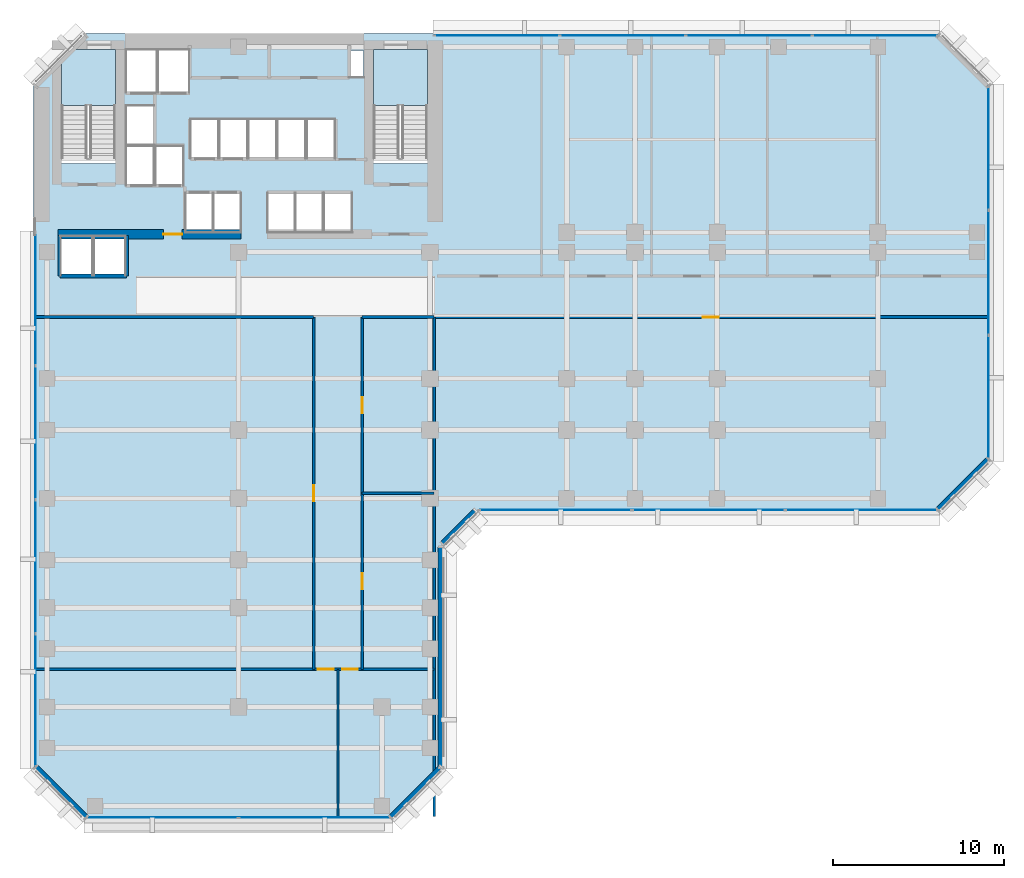
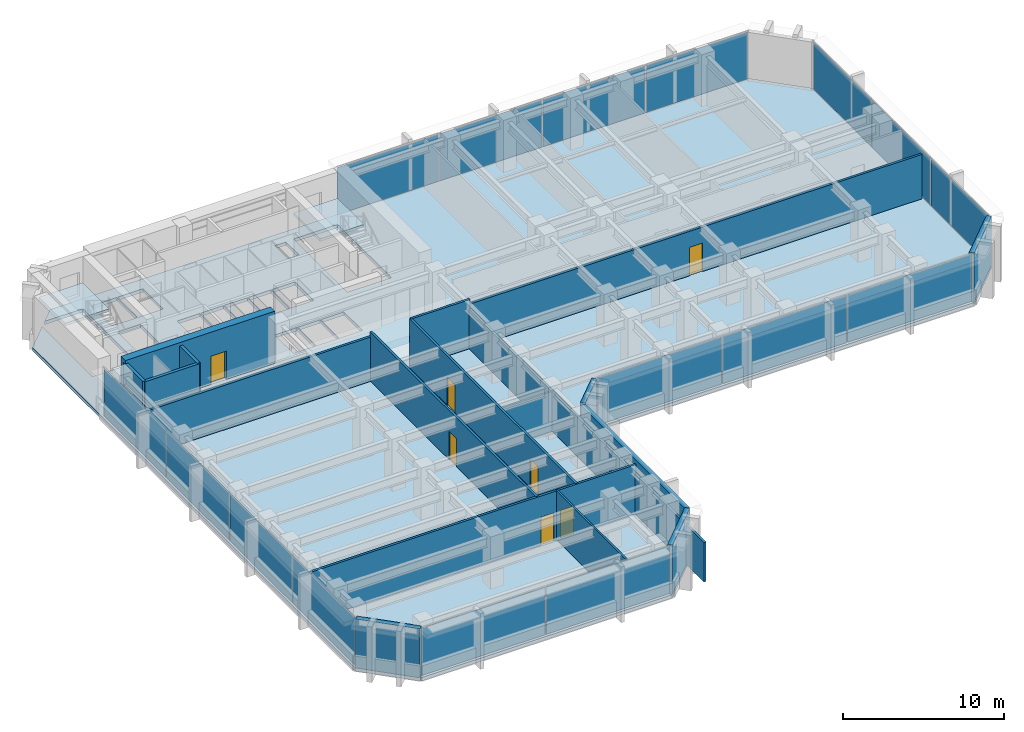
# One storey, part 6 of 13: 18 walls, 16 plates, 7 doors, 3 slabs, 7 openings, 7 elements without a shape of their own.
"""IFC4 building model written with IfcOpenShell, lengths in metres."""

from ifc_helpers import new_model, si_unit, direction, frame, frame_2d, origin, origin_2d, place, context, subcontext, project, spatial, polyline, rectangle, outline, extrude, material, layer, layer_set, type_object, element, fill, aggregate, save


model = new_model("IFC4")

# Units and contexts
model_context = context("Model", 3, precision=1e-05, world=origin(), true_north=direction((0.0, 1.0)))
body_context = subcontext(model_context, "Body", "Model", "MODEL_VIEW")
ifc_project = project(units=[si_unit("LENGTHUNIT", "METRE"), si_unit("AREAUNIT", "SQUARE_METRE"), si_unit("VOLUMEUNIT", "CUBIC_METRE"), si_unit("PLANEANGLEUNIT", "RADIAN"), si_unit("MASSUNIT", "GRAM", prefix="KILO")], contexts=[model_context])

# Site, building, storey
site_placement = place(None, origin())
site = spatial("IfcSite", under=ifc_project, at=site_placement, CompositionType="ELEMENT")
building_placement = place(site_placement, origin())
building = spatial("IfcBuilding", under=site, at=building_placement, Name="Kefirva Bronze Tower", CompositionType="ELEMENT")
storey_placement = place(building_placement, frame((0.0, 0.0, 69.9599609375)))
storey = spatial("IfcBuildingStorey", under=building, at=storey_placement, Name="L16", CompositionType="ELEMENT", Elevation=69.9599609375)

# Stair, slab
ifc_material_1 = material(Name="Concrete C40/50", Category="concrete")
stair_type = type_object("IfcStairType", Name="RC Dogleg Protected Stair 24R", PredefinedType="HALF_TURN_STAIR", material=ifc_material_1)
stair_1_placement = place(storey_placement, origin())
stair_1 = element("IfcStair", 1, at=stair_1_placement, inside=storey, type_object=stair_type, Name="L16 Protected Exit Stair 1", PredefinedType="HALF_TURN_STAIR")
ifc_layer_1 = layer(ifc_material_1, 0.199951171875, Name="Concrete C40/50")
ifc_layer_set_1 = layer_set([ifc_layer_1], Name="Concrete C40/50")
slab_type_1 = type_object("IfcSlabType", Name="RC Stair Landing Slab 200mm", PredefinedType="LANDING", material=ifc_layer_set_1)
slab_1_placement = place(storey_placement, frame((0.0, 0.0, 1.780029296875)))
slab_1 = element("IfcSlab", 2, at=slab_1_placement, type_object=slab_type_1, Name="ST-1 landing 1", PredefinedType="LANDING", context=body_context, shape_type="SweptSolid", body=[
    extrude(outline(polyline([(4.800048828125, 41.780029296875), (4.800048828125, 45.050048828125), (1.64990234375, 45.050048828125), (1.64990234375, 41.780029296875), (4.800048828125, 41.780029296875)])), origin(), (0.0, 0.0, 1.0), 0.199951171875),
])
aggregate(stair_1, [slab_1])

stair_2_placement = place(storey_placement, origin())
stair_2 = element("IfcStair", 3, at=stair_2_placement, inside=storey, type_object=stair_type, Name="L16 Protected Exit Stair 2", PredefinedType="HALF_TURN_STAIR")
slab_2_placement = place(storey_placement, frame((0.0, 0.0, 1.780029296875)))
slab_2 = element("IfcSlab", 4, at=slab_2_placement, type_object=slab_type_1, Name="ST-2 landing 1", PredefinedType="LANDING", context=body_context, shape_type="SweptSolid", body=[
    extrude(outline(polyline([(23.050048828125, 41.780029296875), (23.050048828125, 45.050048828125), (19.89990234375, 45.050048828125), (19.89990234375, 41.780029296875), (23.050048828125, 41.780029296875)])), origin(), (0.0, 0.0, 1.0), 0.199951171875),
])
aggregate(stair_2, [slab_2])

# Slab
ifc_layer_2 = layer(ifc_material_1, 0.25, Name="Concrete C40/50")
ifc_layer_set_2 = layer_set([ifc_layer_2], Name="Concrete C40/50")
slab_type_2 = type_object("IfcSlabType", Name="RC Tower Floor Slab 250mm", PredefinedType="FLOOR", material=ifc_layer_set_2)
slab_3_placement = place(storey_placement, frame((0.0, 0.0, -0.25)))
element("IfcSlab", 5, at=slab_3_placement, inside=storey, type_object=slab_type_2, Name="L16 Structural Floor Slab", PredefinedType="FLOOR", context=body_context, shape_type="SweptSolid", body=[
    extrude(outline(polyline([(0.0, 3.0), (0.0, 43.0), (1.64990234375, 44.64990234375), (1.64990234375, 38.39990234375), (4.800048828125, 38.39990234375), (4.800048828125, 45.050048828125), (2.050048828125, 45.050048828125), (3.0, 46.0), (53.0, 46.0), (56.0, 43.0), (56.0, 21.0), (53.0, 18.0), (26.0, 18.0), (24.0, 16.0), (24.0, 3.0), (21.0, 0.0), (3.0, 0.0), (0.0, 3.0)]), holes=[polyline([(19.89990234375, 38.39990234375), (23.050048828125, 38.39990234375), (23.050048828125, 45.050048828125), (19.89990234375, 45.050048828125), (19.89990234375, 38.39990234375)]), polyline([(18.52001953125, 43.419921875), (19.320068359375, 43.419921875), (19.320068359375, 45.0), (18.52001953125, 45.0), (18.52001953125, 43.419921875)]), polyline([(17.0, 34.35009765625), (18.64990234375, 34.35009765625), (18.64990234375, 36.64990234375), (17.0, 36.64990234375), (17.0, 34.35009765625)]), polyline([(17.64990234375, 38.679931640625), (17.64990234375, 40.97998046875), (16.0, 40.97998046875), (16.0, 38.679931640625), (17.64990234375, 38.679931640625)]), polyline([(16.949951171875, 34.35009765625), (16.949951171875, 36.64990234375), (15.35009765625, 36.64990234375), (15.35009765625, 34.35009765625), (16.949951171875, 34.35009765625)]), polyline([(15.929931640625, 38.679931640625), (15.929931640625, 40.97998046875), (14.300048828125, 40.97998046875), (14.300048828125, 38.679931640625), (15.929931640625, 38.679931640625)]), polyline([(15.300048828125, 34.35009765625), (15.300048828125, 36.64990234375), (13.699951171875, 36.64990234375), (13.699951171875, 34.35009765625), (15.300048828125, 34.35009765625)]), polyline([(14.22998046875, 38.679931640625), (14.22998046875, 40.97998046875), (12.60009765625, 40.97998046875), (12.60009765625, 38.679931640625), (14.22998046875, 38.679931640625)]), polyline([(10.89990234375, 38.679931640625), (12.530029296875, 38.679931640625), (12.530029296875, 40.97998046875), (10.89990234375, 40.97998046875), (10.89990234375, 38.679931640625)]), polyline([(12.139892578125, 34.35009765625), (12.139892578125, 36.64990234375), (10.5400390625, 36.64990234375), (10.5400390625, 34.35009765625), (12.139892578125, 34.35009765625)]), polyline([(10.830078125, 38.679931640625), (10.830078125, 40.97998046875), (9.199951171875, 40.97998046875), (9.199951171875, 38.679931640625), (10.830078125, 38.679931640625)]), polyline([(10.5, 34.35009765625), (10.5, 36.64990234375), (8.89990234375, 36.64990234375), (8.89990234375, 34.35009765625), (10.5, 34.35009765625)]), polyline([(7.300048828125, 42.550048828125), (9.1201171875, 42.550048828125), (9.1201171875, 45.050048828125), (7.300048828125, 45.050048828125), (7.300048828125, 42.550048828125)]), polyline([(7.139892578125, 37.10009765625), (8.780029296875, 37.10009765625), (8.780029296875, 39.39990234375), (7.139892578125, 39.39990234375), (7.139892578125, 37.10009765625)]), polyline([(5.419921875, 42.550048828125), (7.239990234375, 42.550048828125), (7.239990234375, 45.050048828125), (5.419921875, 45.050048828125), (5.419921875, 42.550048828125)]), polyline([(7.06005859375, 39.47998046875), (7.06005859375, 41.780029296875), (5.419921875, 41.780029296875), (5.419921875, 39.47998046875), (7.06005859375, 39.47998046875)]), polyline([(5.419921875, 37.10009765625), (7.06005859375, 37.10009765625), (7.06005859375, 39.39990234375), (5.419921875, 39.39990234375), (5.419921875, 37.10009765625)]), polyline([(5.39990234375, 31.85009765625), (5.39990234375, 34.14990234375), (3.550048828125, 34.14990234375), (3.550048828125, 31.85009765625), (5.39990234375, 31.85009765625)]), polyline([(3.449951171875, 31.85009765625), (3.449951171875, 34.14990234375), (1.60009765625, 34.14990234375), (1.60009765625, 31.85009765625), (3.449951171875, 31.85009765625)])]), origin(), (0.0, 0.0, 1.0), 0.25),
])

# Curtain wall, plates
ifc_material_2 = material(Name="Bronze anodised aluminium", Category="aluminium")
ifc_layer_3 = layer(ifc_material_2, 0.199951171875, Name="Bronze anodised aluminium")
ifc_layer_set_3 = layer_set([ifc_layer_3], Name="Bronze anodised aluminium")
curtain_wall_type = type_object("IfcCurtainWallType", Name="Unitised Bronze Ribbon Curtain Wall Zone 1", PredefinedType="USERDEFINED", material=ifc_layer_set_3)
curtain_wall_1_placement = place(storey_placement, origin())
curtain_wall_1 = element("IfcCurtainWall", 6, at=curtain_wall_1_placement, inside=storey, type_object=curtain_wall_type, Name="L16 Curtain Wall 1", ObjectType="UNITISED CURTAIN WALL", PredefinedType="USERDEFINED")
ifc_material_3 = material(Name="Laminated low-E double glazing", Category="glass")
ifc_layer_4 = layer(ifc_material_3, 0.031982421875, Name="Laminated low-E double glazing")
ifc_layer_set_4 = layer_set([ifc_layer_4], Name="Laminated low-E double glazing")
plate_type = type_object("IfcPlateType", Name="Solar-Control Low-E Vision Panel 32mm", PredefinedType="CURTAIN_PANEL", material=ifc_layer_set_4)
plate_1_placement = place(storey_placement, frame((7.546142578125, 0.1201171875, 0.074951171875), z_axis=(0.0, 0.0, 1.0), x_axis=(1.0, 0.0, 0.0)))
plate_1 = element("IfcPlate", 7, at=plate_1_placement, type_object=plate_type, Name="CW-01 panel 1.1", PredefinedType="CURTAIN_PANEL", context=body_context, shape_type="SweptSolid", body=[
    extrude(rectangle(XDim=8.83251953125, YDim=0.031982421875, at=origin_2d()), origin(), (0.0, 0.0, 1.0), 3.56005859375),
])
plate_2_placement = place(storey_placement, frame((16.453857421875, 0.1201171875, 0.074951171875), z_axis=(0.0, 0.0, 1.0), x_axis=(1.0, 0.0, 0.0)))
plate_2 = element("IfcPlate", 8, at=plate_2_placement, type_object=plate_type, Name="CW-01 panel 2.1", PredefinedType="CURTAIN_PANEL", context=body_context, shape_type="SweptSolid", body=[
    extrude(rectangle(XDim=8.83251953125, YDim=0.031982421875, at=origin_2d()), origin(), (0.0, 0.0, 1.0), 3.56005859375),
])
aggregate(curtain_wall_1, [plate_1, plate_2])

curtain_wall_2_placement = place(storey_placement, origin())
curtain_wall_2 = element("IfcCurtainWall", 9, at=curtain_wall_2_placement, inside=storey, type_object=curtain_wall_type, Name="L16 Curtain Wall 2", ObjectType="UNITISED CURTAIN WALL", PredefinedType="USERDEFINED")
plate_3_placement = place(storey_placement, frame((30.555419921875, 18.1201171875, 0.074951171875), z_axis=(0.0, 0.0, 1.0), x_axis=(1.0, 0.0, 0.0)))
plate_3 = element("IfcPlate", 10, at=plate_3_placement, type_object=plate_type, Name="CW-01 panel 1.1", PredefinedType="CURTAIN_PANEL", context=body_context, shape_type="SweptSolid", body=[
    extrude(rectangle(XDim=8.850830078125, YDim=0.031982421875, at=origin_2d()), origin(), (0.0, 0.0, 1.0), 3.56005859375),
])
plate_4_placement = place(storey_placement, frame((39.5, 18.1201171875, 0.074951171875), z_axis=(0.0, 0.0, 1.0), x_axis=(1.0, 0.0, 0.0)))
plate_4 = element("IfcPlate", 11, at=plate_4_placement, type_object=plate_type, Name="CW-01 panel 2.1", PredefinedType="CURTAIN_PANEL", context=body_context, shape_type="SweptSolid", body=[
    extrude(rectangle(XDim=8.888427734375, YDim=0.031982421875, at=origin_2d()), origin(), (0.0, 0.0, 1.0), 3.56005859375),
])
plate_5_placement = place(storey_placement, frame((48.444580078125, 18.1201171875, 0.074951171875), z_axis=(0.0, 0.0, 1.0), x_axis=(1.0, 0.0, 0.0)))
plate_5 = element("IfcPlate", 12, at=plate_5_placement, type_object=plate_type, Name="CW-01 panel 3.1", PredefinedType="CURTAIN_PANEL", context=body_context, shape_type="SweptSolid", body=[
    extrude(rectangle(XDim=8.850830078125, YDim=0.031982421875, at=origin_2d()), origin(), (0.0, 0.0, 1.0), 3.56005859375),
])
aggregate(curtain_wall_2, [plate_3, plate_4, plate_5])

curtain_wall_3_placement = place(storey_placement, origin())
curtain_wall_3 = element("IfcCurtainWall", 13, at=curtain_wall_3_placement, inside=storey, type_object=curtain_wall_type, Name="L16 Curtain Wall 3", ObjectType="UNITISED CURTAIN WALL", PredefinedType="USERDEFINED")
plate_6_placement = place(storey_placement, frame((55.8798828125, 24.72216796875, 0.074951171875), z_axis=(0.0, 0.0, 1.0), x_axis=(0.0, 1.0, 0.0)))
plate_6 = element("IfcPlate", 14, at=plate_6_placement, type_object=plate_type, Name="CW-01 panel 1.1", PredefinedType="CURTAIN_PANEL", context=body_context, shape_type="SweptSolid", body=[
    extrude(rectangle(XDim=7.18408203125, YDim=0.031982421875, at=origin_2d()), origin(), (0.0, 0.0, 1.0), 3.56005859375),
])
plate_7_placement = place(storey_placement, frame((55.8798828125, 32.0, 0.074951171875), z_axis=(0.0, 0.0, 1.0), x_axis=(0.0, 1.0, 0.0)))
plate_7 = element("IfcPlate", 15, at=plate_7_placement, type_object=plate_type, Name="CW-01 panel 2.1", PredefinedType="CURTAIN_PANEL", context=body_context, shape_type="SweptSolid", body=[
    extrude(rectangle(XDim=7.2216796875, YDim=0.031982421875, at=origin_2d()), origin(), (0.0, 0.0, 1.0), 3.56005859375),
])
plate_8_placement = place(storey_placement, frame((55.8798828125, 39.27783203125, 0.074951171875), z_axis=(0.0, 0.0, 1.0), x_axis=(0.0, 1.0, 0.0)))
plate_8 = element("IfcPlate", 16, at=plate_8_placement, type_object=plate_type, Name="CW-01 panel 3.1", PredefinedType="CURTAIN_PANEL", context=body_context, shape_type="SweptSolid", body=[
    extrude(rectangle(XDim=7.18408203125, YDim=0.031982421875, at=origin_2d()), origin(), (0.0, 0.0, 1.0), 3.56005859375),
])
aggregate(curtain_wall_3, [plate_6, plate_7, plate_8])

curtain_wall_4_placement = place(storey_placement, origin())
curtain_wall_4 = element("IfcCurtainWall", 17, at=curtain_wall_4_placement, inside=storey, type_object=curtain_wall_type, Name="L16 Curtain Wall 4", ObjectType="UNITISED CURTAIN WALL", PredefinedType="USERDEFINED")
plate_9_placement = place(storey_placement, frame((49.233642578125, 45.8798828125, 0.074951171875), z_axis=(0.0, 0.0, 1.0), x_axis=(-1.0, 0.0, 0.0)))
plate_9 = element("IfcPlate", 18, at=plate_9_placement, type_object=plate_type, Name="CW-01 panel 1.1", PredefinedType="CURTAIN_PANEL", context=body_context, shape_type="SweptSolid", body=[
    extrude(rectangle(XDim=7.2724609375, YDim=0.031982421875, at=origin_2d()), origin(), (0.0, 0.0, 1.0), 3.56005859375),
])
plate_10_placement = place(storey_placement, frame((41.867431640625, 45.8798828125, 0.074951171875), z_axis=(0.0, 0.0, 1.0), x_axis=(-1.0, 0.0, 0.0)))
plate_10 = element("IfcPlate", 19, at=plate_10_placement, type_object=plate_type, Name="CW-01 panel 2.1", PredefinedType="CURTAIN_PANEL", context=body_context, shape_type="SweptSolid", body=[
    extrude(rectangle(XDim=7.31005859375, YDim=0.031982421875, at=origin_2d()), origin(), (0.0, 0.0, 1.0), 3.56005859375),
])
plate_11_placement = place(storey_placement, frame((34.482421875, 45.8798828125, 0.074951171875), z_axis=(0.0, 0.0, 1.0), x_axis=(-1.0, 0.0, 0.0)))
plate_11 = element("IfcPlate", 20, at=plate_11_placement, type_object=plate_type, Name="CW-01 panel 3.1", PredefinedType="CURTAIN_PANEL", context=body_context, shape_type="SweptSolid", body=[
    extrude(rectangle(XDim=7.31005859375, YDim=0.031982421875, at=origin_2d()), origin(), (0.0, 0.0, 1.0), 3.56005859375),
])
plate_12_placement = place(storey_placement, frame((27.1162109375, 45.8798828125, 0.074951171875), z_axis=(0.0, 0.0, 1.0), x_axis=(-1.0, 0.0, 0.0)))
plate_12 = element("IfcPlate", 21, at=plate_12_placement, type_object=plate_type, Name="CW-01 panel 4.1", PredefinedType="CURTAIN_PANEL", context=body_context, shape_type="SweptSolid", body=[
    extrude(rectangle(XDim=7.2724609375, YDim=0.031982421875, at=origin_2d()), origin(), (0.0, 0.0, 1.0), 3.56005859375),
])
aggregate(curtain_wall_4, [plate_9, plate_10, plate_11, plate_12])

curtain_wall_5_placement = place(storey_placement, origin())
curtain_wall_5 = element("IfcCurtainWall", 22, at=curtain_wall_5_placement, inside=storey, type_object=curtain_wall_type, Name="L16 Curtain Wall 5", ObjectType="UNITISED CURTAIN WALL", PredefinedType="USERDEFINED")
plate_13_placement = place(storey_placement, frame((0.1201171875, 30.458740234375, 0.074951171875), z_axis=(0.0, 0.0, 1.0), x_axis=(0.0, -1.0, 0.0)))
plate_13 = element("IfcPlate", 23, at=plate_13_placement, type_object=plate_type, Name="CW-01 panel 1.1", PredefinedType="CURTAIN_PANEL", context=body_context, shape_type="SweptSolid", body=[
    extrude(rectangle(XDim=7.722412109375, YDim=0.031982421875, at=origin_2d()), origin(), (0.0, 0.0, 1.0), 3.56005859375),
])
plate_14_placement = place(storey_placement, frame((0.1201171875, 22.642578125, 0.074951171875), z_axis=(0.0, 0.0, 1.0), x_axis=(0.0, -1.0, 0.0)))
plate_14 = element("IfcPlate", 24, at=plate_14_placement, type_object=plate_type, Name="CW-01 panel 2.1", PredefinedType="CURTAIN_PANEL", context=body_context, shape_type="SweptSolid", body=[
    extrude(rectangle(XDim=7.760009765625, YDim=0.031982421875, at=origin_2d()), origin(), (0.0, 0.0, 1.0), 3.56005859375),
])
plate_15_placement = place(storey_placement, frame((0.1201171875, 14.8076171875, 0.074951171875), z_axis=(0.0, 0.0, 1.0), x_axis=(0.0, -1.0, 0.0)))
plate_15 = element("IfcPlate", 25, at=plate_15_placement, type_object=plate_type, Name="CW-01 panel 3.1", PredefinedType="CURTAIN_PANEL", context=body_context, shape_type="SweptSolid", body=[
    extrude(rectangle(XDim=7.760009765625, YDim=0.031982421875, at=origin_2d()), origin(), (0.0, 0.0, 1.0), 3.56005859375),
])
plate_16_placement = place(storey_placement, frame((0.1201171875, 6.9912109375, 0.074951171875), z_axis=(0.0, 0.0, 1.0), x_axis=(0.0, -1.0, 0.0)))
plate_16 = element("IfcPlate", 26, at=plate_16_placement, type_object=plate_type, Name="CW-01 panel 4.1", PredefinedType="CURTAIN_PANEL", context=body_context, shape_type="SweptSolid", body=[
    extrude(rectangle(XDim=7.722412109375, YDim=0.031982421875, at=origin_2d()), origin(), (0.0, 0.0, 1.0), 3.56005859375),
])
aggregate(curtain_wall_5, [plate_13, plate_14, plate_15, plate_16])

# Walls
ifc_material_4 = material(Name="Gypsum acoustic partition")
ifc_layer_5 = layer(ifc_material_4, 0.1298828125, Name="Gypsum acoustic partition")
ifc_layer_set_5 = layer_set([ifc_layer_5], Name="Gypsum acoustic partition")
wall_type_1 = type_object("IfcWallType", Name="Acoustic Office Partition 130mm", PredefinedType="PARTITIONING", material=ifc_layer_set_5)
wall_1_placement = place(storey_placement, frame((17.820068359375, 0.18994140625, 0.0), z_axis=(0.0, 0.0, 1.0), x_axis=(0.0, 1.0, 0.0)))
element("IfcWall", 27, at=wall_1_placement, inside=storey, type_object=wall_type_1, Name="L16 Partition W-L16-CAPDV", PredefinedType="PARTITIONING", context=body_context, shape_type="SweptSolid", body=[
    extrude(rectangle(XDim=8.610107421875, YDim=0.1298828125, at=frame_2d((4.30517578125, 0.0))), origin(), (0.0, 0.0, 1.0), 3.7099609375),
])
wall_2_placement = place(storey_placement, frame((19.239990234375, 19.10009765625, 0.0), z_axis=(0.0, 0.0, 1.0), x_axis=(1.0, 0.0, 0.0)))
element("IfcWall", 28, at=wall_2_placement, inside=storey, type_object=wall_type_1, Name="L16 Partition W-L16-SED1", PredefinedType="PARTITIONING", context=body_context, shape_type="SweptSolid", body=[
    extrude(rectangle(XDim=4.2099609375, YDim=0.1298828125, at=frame_2d((2.10498046875, 0.0))), origin(), (0.0, 0.0, 1.0), 2.9951171875),
])
ifc_material_5 = material(Name="Gypsum fireboard shaftwall")
ifc_layer_6 = layer(ifc_material_5, 0.219970703125, Name="Gypsum fireboard shaftwall")
ifc_layer_set_6 = layer_set([ifc_layer_6], Name="Gypsum fireboard shaftwall")
wall_type_2 = type_object("IfcWallType", Name="Fire-Rated Shaft Enclosure Wall 220mm", PredefinedType="PARTITIONING", material=ifc_layer_set_6)
wall_3_placement = place(storey_placement, frame((1.550048828125, 31.800048828125, 0.0), z_axis=(0.0, 0.0, 1.0), x_axis=(1.0, 0.0, 0.0)))
element("IfcWall", 29, at=wall_3_placement, inside=storey, type_object=wall_type_2, Name="L16 Partition W-L16-OBS", PredefinedType="PARTITIONING", context=body_context, shape_type="SweptSolid", body=[
    extrude(rectangle(XDim=3.89990234375, YDim=0.219970703125, at=frame_2d((1.949951171875, 0.0))), origin(), (0.0, 0.0, 1.0), 3.7099609375),
])
for number, where, z_axis, x_axis, name in (
    (30, (1.550048828125, 31.800048828125, 0.0), (0.0, 0.0, 1.0), (0.0, 1.0, 0.0), "L16 Partition W-L16-OBW"),
    (31, (5.449951171875, 31.800048828125, 0.0), (0.0, 0.0, 1.0), (0.0, 1.0, 0.0), "L16 Partition W-L16-OBE"),
):
    element("IfcWall", number, at=place(storey_placement, frame(where, z_axis=z_axis, x_axis=x_axis)), inside=storey, type_object=wall_type_2, Name=name, PredefinedType="PARTITIONING", context=body_context, shape_type="SweptSolid", body=[
        extrude(rectangle(XDim=2.3798828125, YDim=0.219970703125, at=frame_2d((1.18994140625, 0.0))), origin(), (0.0, 0.0, 1.0), 3.7099609375),
    ])
ifc_material_6 = material(Name="Precast concrete C40/50", Category="concrete")
ifc_layer_7 = layer(ifc_material_6, 0.320068359375, Name="Precast concrete C40/50")
ifc_layer_set_7 = layer_set([ifc_layer_7], Name="Precast concrete C40/50")
wall_type_3 = type_object("IfcWallType", Name="Precast Insulated Exterior Wall 320mm", PredefinedType="SOLIDWALL", material=ifc_layer_set_7)
wall_4_placement = place(storey_placement, frame((20.92578125, 0.152099609375, 0.0), z_axis=(0.0, 0.0, 1.0), x_axis=(0.707106781187, 0.707106781187, 0.0)))
element("IfcWall", 32, at=wall_4_placement, inside=storey, type_object=wall_type_3, Name="L16 Exterior Facade Wall 1", PredefinedType="SOLIDWALL", context=body_context, shape_type="SweptSolid", body=[
    extrude(rectangle(XDim=4.132568359375, YDim=0.320068359375, at=frame_2d((2.06640625, 0.0))), origin(), (0.0, 0.0, 1.0), 3.7099609375),
])
wall_5_placement = place(storey_placement, frame((23.840087890625, 3.054931640625, 0.0), z_axis=(0.0, 0.0, 1.0), x_axis=(0.0, 1.0, 0.0)))
element("IfcWall", 33, at=wall_5_placement, inside=storey, type_object=wall_type_3, Name="L16 Exterior Facade Wall 2", PredefinedType="SOLIDWALL", context=body_context, shape_type="SweptSolid", body=[
    extrude(rectangle(XDim=12.89013671875, YDim=0.320068359375, at=frame_2d((6.445068359375, 0.0))), origin(), (0.0, 0.0, 1.0), 3.7099609375),
])
wall_6_placement = place(storey_placement, frame((23.92578125, 16.152099609375, 0.0), z_axis=(0.0, 0.0, 1.0), x_axis=(0.707106781187, 0.707106781187, 0.0)))
element("IfcWall", 34, at=wall_6_placement, inside=storey, type_object=wall_type_3, Name="L16 Exterior Facade Wall 3", PredefinedType="SOLIDWALL", context=body_context, shape_type="SweptSolid", body=[
    extrude(rectangle(XDim=2.71826171875, YDim=0.320068359375, at=frame_2d((1.359130859375, 0.0))), origin(), (0.0, 0.0, 1.0), 3.7099609375),
])
for number, where, z_axis, x_axis, name in (
    (35, (52.92578125, 18.152099609375, 0.0), (0.0, 0.0, 1.0), (0.707106781187, 0.707106781187, 0.0), "L16 Exterior Facade Wall 4"),
    (36, (0.152099609375, 3.07421875, 0.0), (0.0, 0.0, 1.0), (0.707106781187, -0.707106781187, 0.0), "L16 Exterior Facade Wall 7"),
):
    element("IfcWall", number, at=place(storey_placement, frame(where, z_axis=z_axis, x_axis=x_axis)), inside=storey, type_object=wall_type_3, Name=name, PredefinedType="SOLIDWALL", context=body_context, shape_type="SweptSolid", body=[
        extrude(rectangle(XDim=4.132568359375, YDim=0.320068359375, at=frame_2d((2.06640625, 0.0))), origin(), (0.0, 0.0, 1.0), 3.7099609375),
    ])

# Wall, opening, door
ifc_layer_8 = layer(ifc_material_4, 0.159912109375, Name="Gypsum acoustic partition")
ifc_layer_set_8 = layer_set([ifc_layer_8], Name="Gypsum acoustic partition")
wall_type_4 = type_object("IfcWallType", Name="Protected Corridor Partition 160mm", PredefinedType="PARTITIONING", material=ifc_layer_set_8)
wall_7_placement = place(storey_placement, frame((16.39990234375, 8.800048828125, 0.0), z_axis=(0.0, 0.0, 1.0), x_axis=(0.0, 1.0, 0.0)))
wall_7 = element("IfcWall", 37, at=wall_7_placement, inside=storey, type_object=wall_type_4, Name="L16 Partition W-L16-SWCORW", PredefinedType="PARTITIONING", context=body_context, shape_type="SweptSolid", body=[
    extrude(rectangle(XDim=20.599853515625, YDim=0.159912109375, at=frame_2d((10.2998046875, 0.0))), origin(), (0.0, 0.0, 1.0), 3.7099609375),
])
opening_1_placement = place(wall_7_placement, frame((10.77490234375, 0.0, 0.0), z_axis=(0.0, 0.0, 1.0), x_axis=(-1.0, 0.0, 0.0)))
opening_1 = element("IfcOpeningElement", 38, at=opening_1_placement, cuts=wall_7, Name="Opening L16-D-SW1", PredefinedType="OPENING", context=body_context, shape_type="SweptSolid", body=[
    extrude(rectangle(XDim=0.949951171875, YDim=2.14990234375, at=frame_2d((0.47509765625, 1.074951171875))), frame((0.0, 0.08984375, 0.0), z_axis=(0.0, -1.0, 0.0), x_axis=(1.0, 0.0, 0.0)), (0.0, 0.0, 1.0), 0.179931640625),
])
ifc_material_7 = material(Name="Acoustic hardwood oak", Category="wood")
door_type_1 = type_object("IfcDoorType", Name="Office & Meeting Room Door 950x2150", OperationType="NOTDEFINED", PredefinedType="DOOR", material=ifc_material_7)
door_1_placement = place(opening_1_placement, origin())
door_1 = element("IfcDoor", 39, at=door_1_placement, inside=storey, type_object=door_type_1, Name="Door L16-D-SW1", OperationType="SINGLE_SWING_LEFT", OverallHeight=2.14990234375, OverallWidth=0.949951171875, PredefinedType="DOOR", context=body_context, shape_type="SweptSolid", body=[
    extrude(rectangle(XDim=0.949951171875, YDim=2.14990234375, at=frame_2d((0.47509765625, 1.074951171875))), frame((0.0, 0.02490234375, 0.0), z_axis=(0.0, -1.0, 0.0), x_axis=(1.0, 0.0, 0.0)), (0.0, 0.0, 1.0), 0.050048828125),
])
fill(opening_1, door_1)

# Wall, openings, doors
wall_8_placement = place(storey_placement, frame((19.239990234375, 8.800048828125, 0.0), z_axis=(0.0, 0.0, 1.0), x_axis=(0.0, 1.0, 0.0)))
wall_8 = element("IfcWall", 40, at=wall_8_placement, inside=storey, type_object=wall_type_4, Name="L16 Partition W-L16-SECORE", PredefinedType="PARTITIONING", context=body_context, shape_type="SweptSolid", body=[
    extrude(rectangle(XDim=20.599853515625, YDim=0.159912109375, at=frame_2d((10.2998046875, 0.0))), origin(), (0.0, 0.0, 1.0), 3.7099609375),
])
opening_2_placement = place(wall_8_placement, frame((4.675048828125, 0.0, 0.0)))
opening_2 = element("IfcOpeningElement", 41, at=opening_2_placement, cuts=wall_8, Name="Opening L16-D-SE1", PredefinedType="OPENING", context=body_context, shape_type="SweptSolid", body=[
    extrude(rectangle(XDim=0.949951171875, YDim=2.14990234375, at=frame_2d((0.47509765625, 1.074951171875))), frame((0.0, 0.08984375, 0.0), z_axis=(0.0, -1.0, 0.0), x_axis=(1.0, 0.0, 0.0)), (0.0, 0.0, 1.0), 0.179931640625),
])
opening_3_placement = place(wall_8_placement, frame((14.97509765625, 0.0, 0.0)))
opening_3 = element("IfcOpeningElement", 42, at=opening_3_placement, cuts=wall_8, Name="Opening L16-D-SE2", PredefinedType="OPENING", context=body_context, shape_type="SweptSolid", body=[
    extrude(rectangle(XDim=0.949951171875, YDim=2.14990234375, at=frame_2d((0.47509765625, 1.074951171875))), frame((0.0, 0.08984375, 0.0), z_axis=(0.0, -1.0, 0.0), x_axis=(1.0, 0.0, 0.0)), (0.0, 0.0, 1.0), 0.179931640625),
])
door_2_placement = place(opening_2_placement, origin())
door_2 = element("IfcDoor", 43, at=door_2_placement, inside=storey, type_object=door_type_1, Name="Door L16-D-SE1", OperationType="SINGLE_SWING_RIGHT", OverallHeight=2.14990234375, OverallWidth=0.949951171875, PredefinedType="DOOR", context=body_context, shape_type="SweptSolid", body=[
    extrude(rectangle(XDim=0.949951171875, YDim=2.14990234375, at=frame_2d((0.47509765625, 1.074951171875))), frame((0.0, 0.02490234375, 0.0), z_axis=(0.0, -1.0, 0.0), x_axis=(1.0, 0.0, 0.0)), (0.0, 0.0, 1.0), 0.050048828125),
])
fill(opening_2, door_2)
door_3_placement = place(opening_3_placement, origin())
door_3 = element("IfcDoor", 44, at=door_3_placement, inside=storey, type_object=door_type_1, Name="Door L16-D-SE2", OperationType="SINGLE_SWING_LEFT", OverallHeight=2.14990234375, OverallWidth=0.949951171875, PredefinedType="DOOR", context=body_context, shape_type="SweptSolid", body=[
    extrude(rectangle(XDim=0.949951171875, YDim=2.14990234375, at=frame_2d((0.47509765625, 1.074951171875))), frame((0.0, 0.02490234375, 0.0), z_axis=(0.0, -1.0, 0.0), x_axis=(1.0, 0.0, 0.0)), (0.0, 0.0, 1.0), 0.050048828125),
])
fill(opening_3, door_3)

wall_9_placement = place(storey_placement, frame((0.18994140625, 8.800048828125, 0.0), z_axis=(0.0, 0.0, 1.0), x_axis=(1.0, 0.0, 0.0)))
wall_9 = element("IfcWall", 45, at=wall_9_placement, inside=storey, type_object=wall_type_4, Name="L16 Partition W-L16-SBEND", PredefinedType="PARTITIONING", context=body_context, shape_type="SweptSolid", body=[
    extrude(rectangle(XDim=23.260009765625, YDim=0.159912109375, at=frame_2d((11.6298828125, 0.0))), origin(), (0.0, 0.0, 1.0), 3.7099609375),
])
opening_4_placement = place(wall_9_placement, frame((16.4599609375, 0.0, 0.0)))
opening_4 = element("IfcOpeningElement", 46, at=opening_4_placement, cuts=wall_9, Name="Opening L16-D-SEND1", PredefinedType="OPENING", context=body_context, shape_type="SweptSolid", body=[
    extrude(rectangle(XDim=0.919921875, YDim=2.10009765625, at=frame_2d((0.4599609375, 1.050048828125))), frame((0.0, 0.08984375, 0.0), z_axis=(0.0, -1.0, 0.0), x_axis=(1.0, 0.0, 0.0)), (0.0, 0.0, 1.0), 0.179931640625),
])
opening_5_placement = place(wall_9_placement, frame((17.8798828125, 0.0, 0.0)))
opening_5 = element("IfcOpeningElement", 47, at=opening_5_placement, cuts=wall_9, Name="Opening L16-D-SEND2", PredefinedType="OPENING", context=body_context, shape_type="SweptSolid", body=[
    extrude(rectangle(XDim=0.919921875, YDim=2.10009765625, at=frame_2d((0.4599609375, 1.050048828125))), frame((0.0, 0.08984375, 0.0), z_axis=(0.0, -1.0, 0.0), x_axis=(1.0, 0.0, 0.0)), (0.0, 0.0, 1.0), 0.179931640625),
])
ifc_material_8 = material(Name="Moisture-resistant timber", Category="wood")
door_type_2 = type_object("IfcDoorType", Name="Accessible Sanitary & WC Door 920x2100", OperationType="NOTDEFINED", PredefinedType="DOOR", material=ifc_material_8)
door_4_placement = place(opening_4_placement, origin())
door_4 = element("IfcDoor", 48, at=door_4_placement, inside=storey, type_object=door_type_2, Name="Door L16-D-SEND1", OperationType="SINGLE_SWING_LEFT", OverallHeight=2.10009765625, OverallWidth=0.919921875, PredefinedType="DOOR", context=body_context, shape_type="SweptSolid", body=[
    extrude(rectangle(XDim=0.919921875, YDim=2.10009765625, at=frame_2d((0.4599609375, 1.050048828125))), frame((0.0, 0.02490234375, 0.0), z_axis=(0.0, -1.0, 0.0), x_axis=(1.0, 0.0, 0.0)), (0.0, 0.0, 1.0), 0.050048828125),
])
fill(opening_4, door_4)
door_5_placement = place(opening_5_placement, origin())
door_5 = element("IfcDoor", 49, at=door_5_placement, inside=storey, type_object=door_type_2, Name="Door L16-D-SEND2", OperationType="SINGLE_SWING_RIGHT", OverallHeight=2.10009765625, OverallWidth=0.919921875, PredefinedType="DOOR", context=body_context, shape_type="SweptSolid", body=[
    extrude(rectangle(XDim=0.919921875, YDim=2.10009765625, at=frame_2d((0.4599609375, 1.050048828125))), frame((0.0, 0.02490234375, 0.0), z_axis=(0.0, -1.0, 0.0), x_axis=(1.0, 0.0, 0.0)), (0.0, 0.0, 1.0), 0.050048828125),
])
fill(opening_5, door_5)

# Walls
wall_10_placement = place(storey_placement, frame((0.18994140625, 29.39990234375, 0.0), z_axis=(0.0, 0.0, 1.0), x_axis=(1.0, 0.0, 0.0)))
element("IfcWall", 50, at=wall_10_placement, inside=storey, type_object=wall_type_4, Name="L16 Partition W-L16-NWT", PredefinedType="PARTITIONING", context=body_context, shape_type="SweptSolid", body=[
    extrude(rectangle(XDim=16.2099609375, YDim=0.159912109375, at=frame_2d((8.10498046875, 0.0))), origin(), (0.0, 0.0, 1.0), 3.364990234375),
])
wall_11_placement = place(storey_placement, frame((19.239990234375, 29.39990234375, 0.0), z_axis=(0.0, 0.0, 1.0), x_axis=(1.0, 0.0, 0.0)))
element("IfcWall", 51, at=wall_11_placement, inside=storey, type_object=wall_type_4, Name="L16 Partition W-L16-NET", PredefinedType="PARTITIONING", context=body_context, shape_type="SweptSolid", body=[
    extrude(rectangle(XDim=4.2099609375, YDim=0.159912109375, at=frame_2d((2.10498046875, 0.0))), origin(), (0.0, 0.0, 1.0), 3.7099609375),
])
wall_12_placement = place(storey_placement, frame((23.449951171875, 0.18994140625, 0.0), z_axis=(0.0, 0.0, 1.0), x_axis=(0.0, 1.0, 0.0)))
element("IfcWall", 52, at=wall_12_placement, inside=storey, type_object=wall_type_4, Name="L16 Partition W-L16-SWEAST", PredefinedType="PARTITIONING", context=body_context, shape_type="SweptSolid", body=[
    extrude(rectangle(XDim=29.2099609375, YDim=0.159912109375, at=frame_2d((14.60498046875, 0.0))), origin(), (0.0, 0.0, 1.0), 2.9951171875),
])

# Wall, opening, door
wall_13_placement = place(storey_placement, frame((23.449951171875, 29.39990234375, 0.0), z_axis=(0.0, 0.0, 1.0), x_axis=(1.0, 0.0, 0.0)))
wall_13 = element("IfcWall", 53, at=wall_13_placement, inside=storey, type_object=wall_type_4, Name="L16 Partition W-L16-EWS", PredefinedType="PARTITIONING", context=body_context, shape_type="SweptSolid", body=[
    extrude(rectangle(XDim=32.360107421875, YDim=0.159912109375, at=frame_2d((16.18017578125, 0.0))), origin(), (0.0, 0.0, 1.0), 3.364990234375),
])
opening_6_placement = place(wall_13_placement, frame((16.655029296875, 0.0, 0.0), z_axis=(0.0, 0.0, 1.0), x_axis=(-1.0, 0.0, 0.0)))
opening_6 = element("IfcOpeningElement", 54, at=opening_6_placement, cuts=wall_13, Name="Opening L16-D-ES1", PredefinedType="OPENING", context=body_context, shape_type="SweptSolid", body=[
    extrude(rectangle(XDim=0.949951171875, YDim=2.14990234375, at=frame_2d((0.47509765625, 1.074951171875))), frame((0.0, 0.08984375, 0.0), z_axis=(0.0, -1.0, 0.0), x_axis=(1.0, 0.0, 0.0)), (0.0, 0.0, 1.0), 0.179931640625),
])
door_6_placement = place(opening_6_placement, origin())
door_6 = element("IfcDoor", 55, at=door_6_placement, inside=storey, type_object=door_type_1, Name="Door L16-D-ES1", OperationType="SINGLE_SWING_RIGHT", OverallHeight=2.14990234375, OverallWidth=0.949951171875, PredefinedType="DOOR", context=body_context, shape_type="SweptSolid", body=[
    extrude(rectangle(XDim=0.949951171875, YDim=2.14990234375, at=frame_2d((0.47509765625, 1.074951171875))), frame((0.0, 0.02490234375, 0.0), z_axis=(0.0, -1.0, 0.0), x_axis=(1.0, 0.0, 0.0)), (0.0, 0.0, 1.0), 0.050048828125),
])
fill(opening_6, door_6)

ifc_material_9 = material(Name="Concrete C60/75", Category="concrete")
ifc_layer_9 = layer(ifc_material_9, 0.89990234375, Name="Concrete C60/75")
ifc_layer_set_9 = layer_set([ifc_layer_9], Name="Concrete C60/75")
wall_type_5 = type_object("IfcWallType", Name="RC Rear Core Interior Wall 900mm", PredefinedType="SHEAR", material=ifc_layer_set_9)
wall_14_placement = place(storey_placement, frame((1.449951171875, 34.25, 0.0), z_axis=(0.0, 0.0, 1.0), x_axis=(1.0, 0.0, 0.0)))
wall_14 = element("IfcWall", 56, at=wall_14_placement, inside=storey, type_object=wall_type_5, Name="L16 Rear Core South-West Shear Wall", PredefinedType="SHEAR", context=body_context, shape_type="SweptSolid", body=[
    extrude(rectangle(XDim=10.7099609375, YDim=0.550048828125, at=frame_2d((5.35498046875, 0.0))), origin(), (0.0, 0.0, 1.0), 3.9599609375),
])
opening_7_placement = place(wall_14_placement, frame((7.25, 0.0, 0.0), z_axis=(0.0, 0.0, 1.0), x_axis=(-1.0, 0.0, 0.0)))
opening_7 = element("IfcOpeningElement", 57, at=opening_7_placement, cuts=wall_14, Name="Opening L16-D002", PredefinedType="OPENING", context=body_context, shape_type="SweptSolid", body=[
    extrude(rectangle(XDim=1.10009765625, YDim=2.14990234375, at=frame_2d((0.550048828125, 1.074951171875))), frame((0.0, 0.28515625, 0.0), z_axis=(0.0, -1.0, 0.0), x_axis=(1.0, 0.0, 0.0)), (0.0, 0.0, 1.0), 0.570068359375),
])
ifc_material_10 = material(Name="Painted galvanized steel", Category="steel")
door_type_3 = type_object("IfcDoorType", Name="Firefighting Lobby Smoke Door 1100x2150 FD60S", OperationType="NOTDEFINED", PredefinedType="DOOR", material=ifc_material_10)
door_7_placement = place(opening_7_placement, origin())
door_7 = element("IfcDoor", 58, at=door_7_placement, inside=storey, type_object=door_type_3, Name="Door L16-D002", OperationType="SINGLE_SWING_LEFT", OverallHeight=2.14990234375, OverallWidth=1.10009765625, PredefinedType="DOOR", context=body_context, shape_type="SweptSolid", body=[
    extrude(rectangle(XDim=1.10009765625, YDim=2.14990234375, at=frame_2d((0.550048828125, 1.074951171875))), frame((0.0, 0.02490234375, 0.0), z_axis=(0.0, -1.0, 0.0), x_axis=(1.0, 0.0, 0.0)), (0.0, 0.0, 1.0), 0.050048828125),
])
fill(opening_7, door_7)

save(model, "model.ifc")
